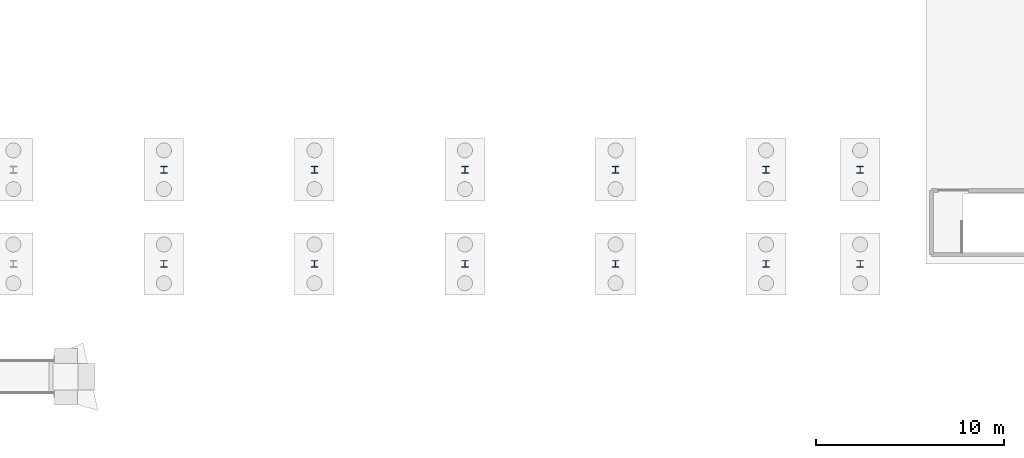
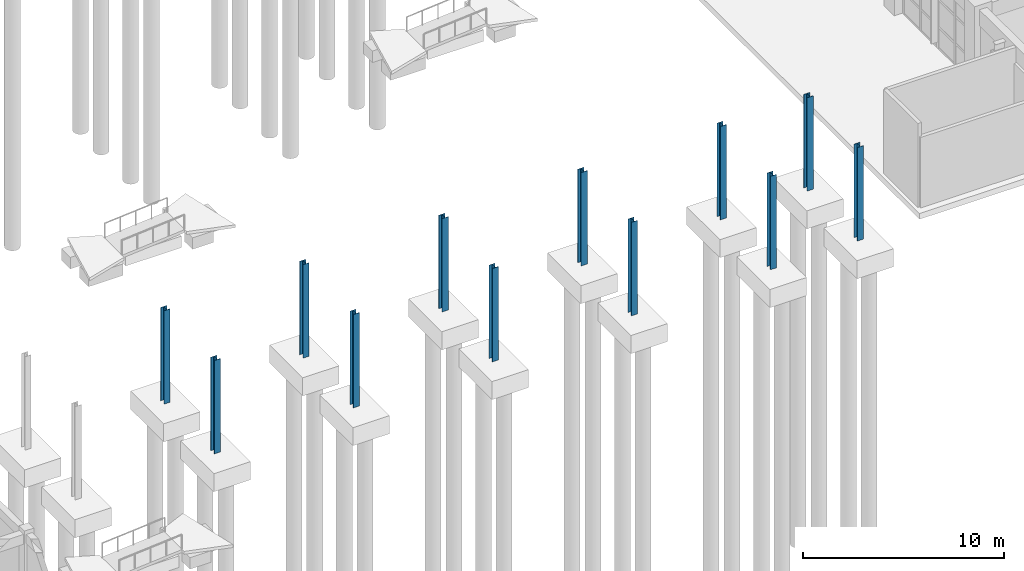
# One storey, part 9 of 90: 12 columns.
"""IFC4 building model written with IfcOpenShell, lengths in metres."""

from ifc_helpers import new_model, si_unit, direction, frame, origin, origin_2d, place, context, subcontext, project, spatial, i_section, extrude, material, material_profile, profile_set, type_object, element, save


model = new_model("IFC4")

# Units and contexts
model_context = context("Model", 3, precision=1e-05, world=origin(), true_north=direction((0.0, 1.0)))
body_context = subcontext(model_context, "Body", "Model", "MODEL_VIEW")
ifc_project = project(units=[si_unit("LENGTHUNIT", "METRE"), si_unit("AREAUNIT", "SQUARE_METRE"), si_unit("VOLUMEUNIT", "CUBIC_METRE"), si_unit("PLANEANGLEUNIT", "RADIAN"), si_unit("MASSUNIT", "GRAM", prefix="KILO")], contexts=[model_context])

# Site, building, storey
site_placement = place(None, origin())
site = spatial("IfcSite", under=ifc_project, at=site_placement, CompositionType="ELEMENT")
building_placement = place(site_placement, origin())
building = spatial("IfcBuilding", under=site, at=building_placement, Name="Canggui Botanical Conservatory", CompositionType="ELEMENT")
storey_placement = place(building_placement, origin())
storey = spatial("IfcBuildingStorey", under=building, at=storey_placement, Name="L01", CompositionType="ELEMENT", Elevation=0.0)

# Columns
ifc_material = material(Name="Steel Q355B", Category="steel")
ifc_material_profile = material_profile(ifc_material, i_section(OverallWidth=0.35009765625, OverallDepth=0.35009765625, WebThickness=0.011962890625, FlangeThickness=0.01904296875, FilletRadius=0.02001953125, at=origin_2d()), Name="HW 350x350x12x19")
ifc_profile_set = profile_set([ifc_material_profile], Name="Steel Q355B")
column_type = type_object("IfcColumnType", Name="COL-GZ04", PredefinedType="COLUMN", material=ifc_profile_set)
for number, where, z_axis, x_axis, name in (
    (1, (81.5, 26.0, -0.280029296875), (0.0, 0.0, 1.0), (1.0, 0.0, 0.0), "Skybridge Portal Steel Column (81.5,26)"),
    (2, (81.5, 31.0, -0.280029296875), (0.0, 0.0, 1.0), (1.0, 0.0, 0.0), "Skybridge Portal Steel Column (81.5,31)"),
    (3, (89.5, 26.0, -0.280029296875), (0.0, 0.0, 1.0), (1.0, 0.0, 0.0), "Skybridge Portal Steel Column (89.5,26)"),
    (4, (89.5, 31.0, -0.280029296875), (0.0, 0.0, 1.0), (1.0, 0.0, 0.0), "Skybridge Portal Steel Column (89.5,31)"),
    (5, (97.5, 26.0, -0.280029296875), (0.0, 0.0, 1.0), (1.0, 0.0, 0.0), "Skybridge Portal Steel Column (97.5,26)"),
    (6, (97.5, 31.0, -0.280029296875), (0.0, 0.0, 1.0), (1.0, 0.0, 0.0), "Skybridge Portal Steel Column (97.5,31)"),
    (7, (105.5, 26.0, -0.280029296875), (0.0, 0.0, 1.0), (1.0, 0.0, 0.0), "Skybridge Portal Steel Column (105.5,26)"),
    (8, (105.5, 31.0, -0.280029296875), (0.0, 0.0, 1.0), (1.0, 0.0, 0.0), "Skybridge Portal Steel Column (105.5,31)"),
    (9, (113.5, 26.0, -0.280029296875), (0.0, 0.0, 1.0), (1.0, 0.0, 0.0), "Skybridge Portal Steel Column (113.5,26)"),
    (10, (113.5, 31.0, -0.280029296875), (0.0, 0.0, 1.0), (1.0, 0.0, 0.0), "Skybridge Portal Steel Column (113.5,31)"),
    (11, (118.5, 26.0, -0.280029296875), (0.0, 0.0, 1.0), (1.0, 0.0, 0.0), "Skybridge Portal Steel Column (118.5,26)"),
    (12, (118.5, 31.0, -0.280029296875), (0.0, 0.0, 1.0), (1.0, 0.0, 0.0), "Skybridge Portal Steel Column (118.5,31)"),
):
    element("IfcColumn", number, at=place(storey_placement, frame(where, z_axis=z_axis, x_axis=x_axis)), inside=storey, type_object=column_type, Name=name, PredefinedType="COLUMN", context=body_context, shape_type="SweptSolid", body=[
        extrude(i_section(OverallWidth=0.35009765625, OverallDepth=0.35009765625, WebThickness=0.011962890625, FlangeThickness=0.01904296875, FilletRadius=0.02001953125, at=origin_2d()), origin(), (0.0, 0.0, 1.0), 5.679931640625),
    ])

save(model, "model.ifc")
